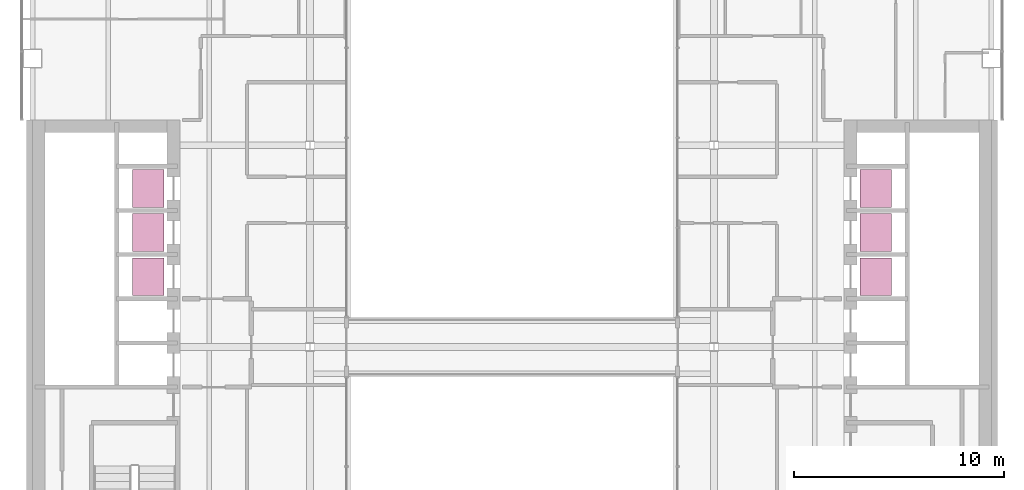
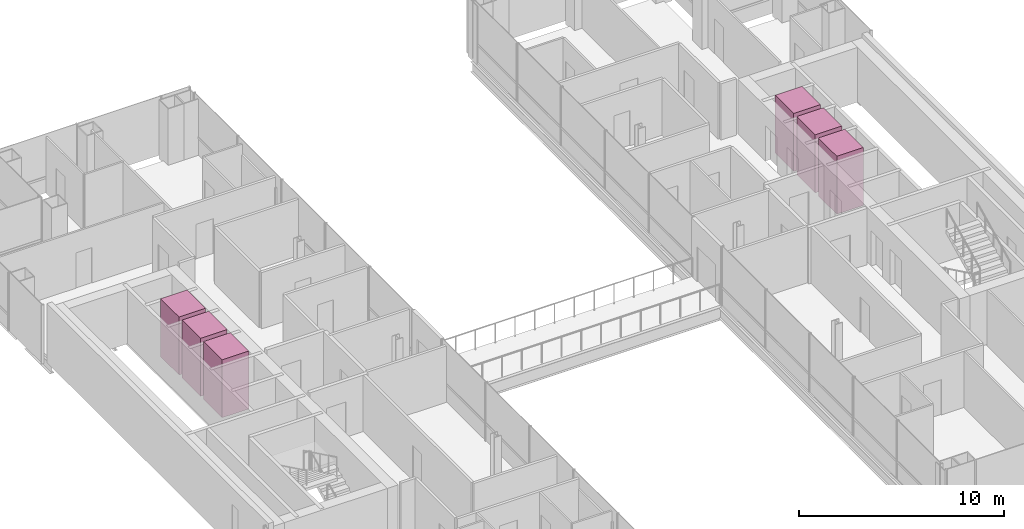
# One storey, part 16 of 16: 6 transport elements.
"""IFC4 building model written with IfcOpenShell, lengths in metres."""

from ifc_helpers import new_model, si_unit, direction, frame, origin, origin_2d, place, context, subcontext, project, spatial, rectangle, extrude, material, type_object, element, save


model = new_model("IFC4")

# Units and contexts
model_context = context("Model", 3, precision=1e-05, world=origin(), true_north=direction((0.0, 1.0)))
body_context = subcontext(model_context, "Body", "Model", "MODEL_VIEW")
ifc_project = project(units=[si_unit("LENGTHUNIT", "METRE"), si_unit("AREAUNIT", "SQUARE_METRE"), si_unit("VOLUMEUNIT", "CUBIC_METRE"), si_unit("PLANEANGLEUNIT", "RADIAN"), si_unit("MASSUNIT", "GRAM", prefix="KILO")], contexts=[model_context])

# Site, building, storey
site_placement = place(None, origin())
site = spatial("IfcSite", under=ifc_project, at=site_placement, CompositionType="ELEMENT")
building_placement = place(site_placement, origin())
building = spatial("IfcBuilding", under=site, at=building_placement, Name="Cobrizo Arcos Hotel Tower", CompositionType="ELEMENT")
storey_placement = place(building_placement, frame((0.0, 0.0, 127.5)))
storey = spatial("IfcBuildingStorey", under=building, at=storey_placement, Name="L32", CompositionType="ELEMENT", Elevation=127.5)

# Transport elements
ifc_material = material(Name="Stainless steel car", Category="steel")
transport_element_type = type_object("IfcTransportElementType", Name="Lift car Low 1.8x1.5", PredefinedType="ELEVATOR", material=ifc_material)
for number, where, z_axis, x_axis, name in (
    (1, (-17.300048828125, 3.35009765625, 0.0), (0.0, 0.0, 1.0), (1.0, 0.0, 0.0), "Low-rise passenger lift W1"),
    (2, (-17.300048828125, 5.449951171875, 0.0), (0.0, 0.0, 1.0), (1.0, 0.0, 0.0), "Low-rise passenger lift W2"),
    (3, (-17.300048828125, 7.550048828125, 0.0), (0.0, 0.0, 1.0), (1.0, 0.0, 0.0), "Low-rise passenger lift W3"),
    (4, (17.300048828125, 3.35009765625, 0.0), (0.0, 0.0, 1.0), (1.0, 0.0, 0.0), "Low-rise passenger lift E1"),
    (5, (17.300048828125, 5.449951171875, 0.0), (0.0, 0.0, 1.0), (1.0, 0.0, 0.0), "Low-rise passenger lift E2"),
    (6, (17.300048828125, 7.550048828125, 0.0), (0.0, 0.0, 1.0), (1.0, 0.0, 0.0), "Low-rise passenger lift E3"),
):
    element("IfcTransportElement", number, at=place(storey_placement, frame(where, z_axis=z_axis, x_axis=x_axis)), inside=storey, type_object=transport_element_type, Name=name, PredefinedType="ELEVATOR", context=body_context, shape_type="SweptSolid", body=[
        extrude(rectangle(XDim=1.5, YDim=1.800048828125, at=origin_2d()), origin(), (0.0, 0.0, 1.0), 3.449951171875),
    ])

save(model, "model.ifc")
